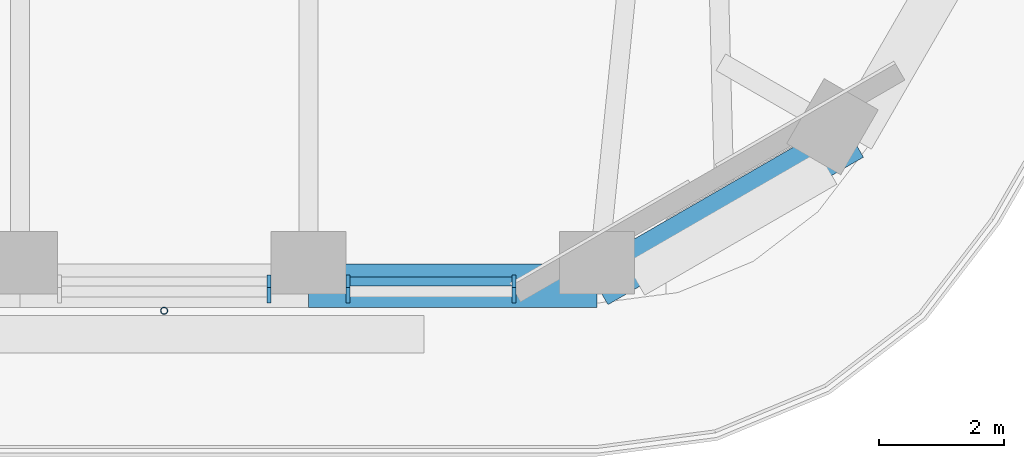
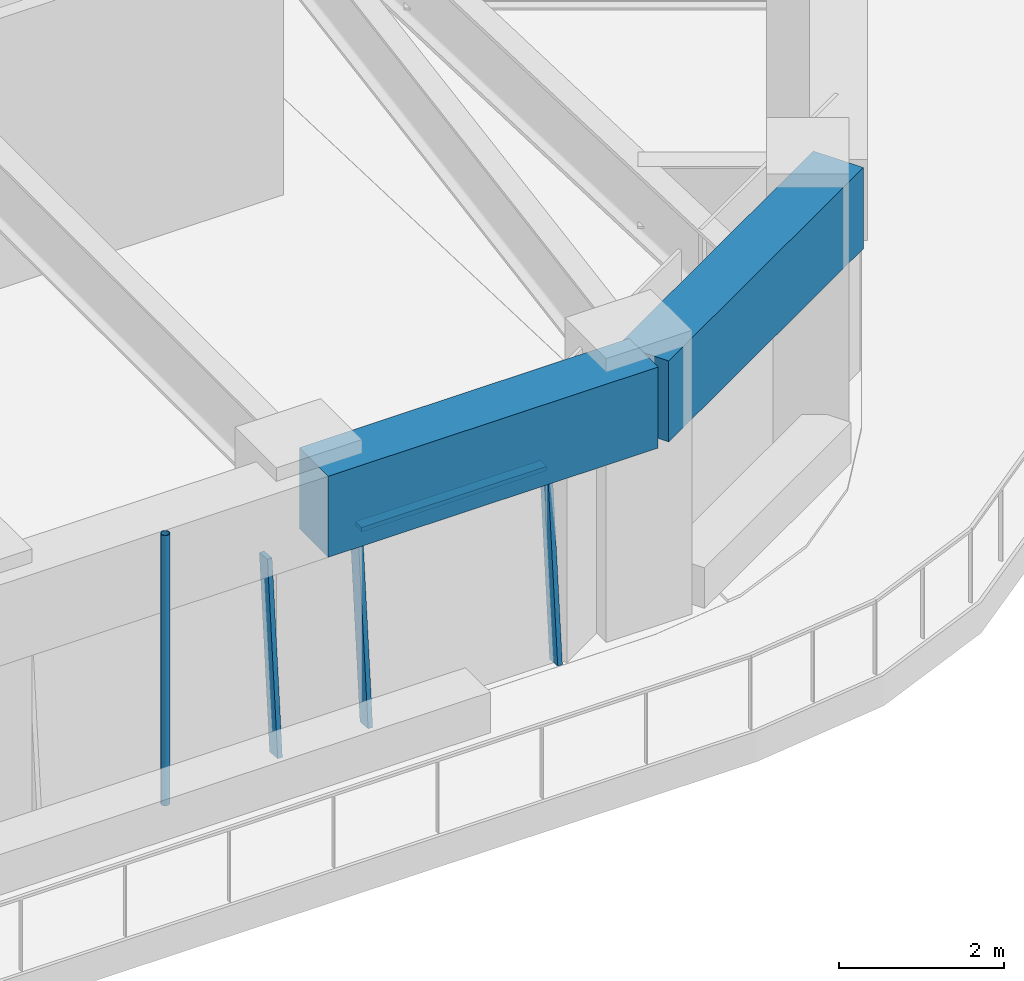
# One storey, part 4 of 20: 5 members, 2 beams, 2 elements without a shape of their own.
"""IFC4 building model written with IfcOpenShell, lengths in metres."""

import ifcopenshell
import ifcopenshell.guid

model = None  # the IFC model being written
_history = None  # IfcOwnerHistory: only IFC2X3 demands one
_inside = {}  # id of a spatial element -> (the spatial element, [elements in it])
_under = {}  # id of a project, library or spatial element -> (it, [spatial elements below it])
_declared = {}  # id of a project -> (the project, [libraries it declares])
_typed = {}  # id of a type object -> (the type object, [elements of that type])
_made_of = {}  # id of a material, layer set ... -> (it, [elements and type objects made of it])


def new_model(schema):
    """Start an empty IFC model of exactly this schema.

    Asked for "IFC4X3", IfcOpenShell would pick the latest addendum, in which some entities
    have other attributes; the version numbers below select the first issue.
    IFC2X3 requires an IfcOwnerHistory on every rooted entity: one is made here for all.
    """
    global model, _history
    if schema == "IFC4X3":
        model = ifcopenshell.file(schema_version=(4, 3, 0, 0))
    else:
        model = ifcopenshell.file(schema=schema)
    _inside.clear()
    _under.clear()
    _declared.clear()
    _typed.clear()
    _made_of.clear()
    _history = None
    if model.schema == "IFC2X3":
        org = make("IfcOrganization", Name="unknown")
        user = make(
            "IfcPersonAndOrganization",
            ThePerson=make("IfcPerson", FamilyName="unknown"),
            TheOrganization=org,
        )
        app = make(
            "IfcApplication",
            ApplicationDeveloper=org,
            Version="unknown",
            ApplicationFullName="unknown",
            ApplicationIdentifier="unknown",
        )
        _history = make(
            "IfcOwnerHistory",
            OwningUser=user,
            OwningApplication=app,
            ChangeAction="ADDED",
            CreationDate=0,
        )
    return model


def make(cls, **values):
    """One entity of the class cls with the attributes given. An attribute that is None is left unset."""
    return model.create_entity(
        cls, **{name: value for name, value in values.items() if value is not None}
    )


def rooted(cls, **values):
    """An entity with a GlobalId (a new one), such as an element, a storey or a relation."""
    return make(cls, GlobalId=ifcopenshell.guid.new(), OwnerHistory=_history, **values)


def si_unit(unit_type, name, prefix=None):
    """IfcSIUnit, for example si_unit("LENGTHUNIT", "METRE", prefix="MILLI")."""
    return make("IfcSIUnit", UnitType=unit_type, Prefix=prefix, Name=name)


def assignment(units):
    """IfcUnitAssignment: the units of a project."""
    return None if units is None else make("IfcUnitAssignment", Units=units)


def point(xyz):
    """IfcCartesianPoint."""
    return None if xyz is None else make("IfcCartesianPoint", Coordinates=xyz)


def direction(xyz):
    """IfcDirection."""
    return None if xyz is None else make("IfcDirection", DirectionRatios=xyz)


def frame(location, z_axis=None, x_axis=None):
    """IfcAxis2Placement3D, a coordinate frame: its origin and axes. An axis left out is left unset."""
    return make(
        "IfcAxis2Placement3D",
        Location=point(location),
        Axis=direction(z_axis),
        RefDirection=direction(x_axis),
    )


def frame_2d(location, x_axis=None):
    """IfcAxis2Placement2D, a coordinate frame in the plane: its origin and x axis."""
    return make(
        "IfcAxis2Placement2D", Location=point(location), RefDirection=direction(x_axis)
    )


def origin():
    """The frame at (0, 0, 0) with its axes left unset."""
    return frame((0.0, 0.0, 0.0))


def origin_2d():
    """The frame at (0, 0) in the plane with its x axis left unset."""
    return frame_2d((0.0, 0.0))


def place(relative_to, where):
    """IfcLocalPlacement: puts the frame where relative to a parent placement (None: the world)."""
    return make(
        "IfcLocalPlacement", PlacementRelTo=relative_to, RelativePlacement=where
    )


def context(
    kind, dimensions, precision=None, world=None, true_north=None, identifier=None
):
    """IfcGeometricRepresentationContext, for example the 3D "Model" context."""
    return make(
        "IfcGeometricRepresentationContext",
        ContextIdentifier=identifier,
        ContextType=kind,
        CoordinateSpaceDimension=dimensions,
        Precision=precision,
        WorldCoordinateSystem=world,
        TrueNorth=true_north,
    )


def subcontext(parent, identifier, kind, view, scale=None):
    """IfcGeometricRepresentationSubContext, for example "Body" below "Model"."""
    return make(
        "IfcGeometricRepresentationSubContext",
        ContextIdentifier=identifier,
        ContextType=kind,
        ParentContext=parent,
        TargetScale=scale,
        TargetView=view,
    )


def project(units=None, contexts=None):
    """IfcProject with its units and contexts."""
    return rooted(
        "IfcProject",
        Name="project",
        RepresentationContexts=contexts,
        UnitsInContext=assignment(units),
    )


def spatial(cls, under=None, at=None, **own):
    """A site, building, storey or space (cls), placed at a placement, below another one or the project."""
    s = rooted(cls, ObjectPlacement=at, **own)
    if under is not None:
        _under.setdefault(under.id(), (under, []))[1].append(s)
    return s


def profile(cls, at=None, kind="AREA", **sizes):
    """A parametric profile (cls). Its sizes go by their IFC names, for example OverallWidth=200.0."""
    return make(cls, ProfileType=kind, Position=at, **sizes)


def rectangle(**sizes):
    """IfcRectangleProfileDef."""
    return profile("IfcRectangleProfileDef", **sizes)


def hollow_circle(**sizes):
    """IfcCircleHollowProfileDef."""
    return profile("IfcCircleHollowProfileDef", **sizes)


def extrude(swept, where, along, depth):
    """IfcExtrudedAreaSolid: the profile swept, set in the frame where, extruded along a direction by depth."""
    return make(
        "IfcExtrudedAreaSolid",
        SweptArea=swept,
        Position=where,
        ExtrudedDirection=direction(along),
        Depth=depth,
    )


def shape(context_of_items, identifier, shape_type, items):
    """IfcShapeRepresentation: the items that make up one representation, for example the "Body"."""
    return make(
        "IfcShapeRepresentation",
        ContextOfItems=context_of_items,
        RepresentationIdentifier=identifier,
        RepresentationType=shape_type,
        Items=items,
    )


def material(Name=None, Category=None):
    """IfcMaterial."""
    return make("IfcMaterial", Name=Name, Category=Category)


def material_profile(
    of_material, cross_section, Name=None, Category=None, Priority=None
):
    """IfcMaterialProfile: a cross section and its material."""
    return make(
        "IfcMaterialProfile",
        Name=Name,
        Material=of_material,
        Profile=cross_section,
        Priority=Priority,
        Category=Category,
    )


def profile_set(profiles, Name=None, composite=None):
    """IfcMaterialProfileSet."""
    return make(
        "IfcMaterialProfileSet",
        Name=Name,
        MaterialProfiles=profiles,
        CompositeProfile=composite,
    )


def made_of(thing, what):
    """Note that an element or type object is made of a material, layer set ...; save() writes the relation."""
    if what is not None:
        _made_of.setdefault(what.id(), (what, []))[1].append(thing)
    return thing


def type_object(cls, material=None, **own):
    """A type object (cls), such as IfcWallType, which elements share."""
    return made_of(rooted(cls, **own), material)


def element(
    cls,
    number,
    at=None,
    inside=None,
    cuts=None,
    type_object=None,
    material=None,
    context=None,
    identifier="Body",
    shape_type=None,
    held_by="IfcProductDefinitionShape",
    body=None,
    shapes=None,
    **own,
):
    """One element of the class cls, such as IfcWall. Its Tag is "e" and its number.

    at: its placement. inside: the storey or other place that contains it. cuts: it is an
    opening in that element (IfcRelVoidsElement). A single representation is given by context,
    identifier, shape_type and body (its items); several are given by shapes. held_by: the class
    of the entity that holds the representations. save() writes the other relations.
    """
    e = rooted(cls, Tag="e%d" % number, ObjectPlacement=at, **own)
    if body is not None:
        shapes = [shape(context, identifier, shape_type, body)]
    if shapes is not None:
        e.Representation = make(held_by, Representations=shapes)
    if inside is not None:
        _inside.setdefault(inside.id(), (inside, []))[1].append(e)
    if cuts is not None:
        rooted(
            "IfcRelVoidsElement", RelatingBuildingElement=cuts, RelatedOpeningElement=e
        )
    if type_object is not None:
        _typed.setdefault(type_object.id(), (type_object, []))[1].append(e)
    return made_of(e, material)


def aggregate(whole, parts):
    """IfcRelAggregates: a whole, such as a stair, and the parts it consists of."""
    return rooted("IfcRelAggregates", RelatingObject=whole, RelatedObjects=parts)


def save(model, path):
    """Write the relations noted so far, then the file.

    IfcRelAggregates (storeys below a building ...), IfcRelContainedInSpatialStructure (elements
    in a storey), IfcRelDefinesByType, IfcRelAssociatesMaterial and IfcRelDeclares: one each for
    every whole, place, type object, material and project.
    """
    for whole, parts in _under.values():
        aggregate(whole, parts)
    for where, things in _inside.values():
        rooted(
            "IfcRelContainedInSpatialStructure",
            RelatedElements=things,
            RelatingStructure=where,
        )
    for kind, things in _typed.values():
        rooted("IfcRelDefinesByType", RelatedObjects=things, RelatingType=kind)
    for what, things in _made_of.values():
        rooted("IfcRelAssociatesMaterial", RelatedObjects=things, RelatingMaterial=what)
    for by, libraries in _declared.values():
        rooted("IfcRelDeclares", RelatingContext=by, RelatedDefinitions=libraries)
    model.write(path)


model = new_model("IFC4")

# Units and contexts
model_context = context("Model", 3, precision=1e-05, world=origin(), true_north=direction((0.0, 1.0)))
body_context = subcontext(model_context, "Body", "Model", "MODEL_VIEW")
ifc_project = project(units=[si_unit("LENGTHUNIT", "METRE"), si_unit("AREAUNIT", "SQUARE_METRE"), si_unit("VOLUMEUNIT", "CUBIC_METRE"), si_unit("PLANEANGLEUNIT", "RADIAN"), si_unit("MASSUNIT", "GRAM", prefix="KILO")], contexts=[model_context])

# Site, building, storey
site_placement = place(None, origin())
site = spatial("IfcSite", under=ifc_project, at=site_placement, CompositionType="ELEMENT")
building_placement = place(site_placement, origin())
building = spatial("IfcBuilding", under=site, at=building_placement, Name="Tarfa Lantern Tower", CompositionType="ELEMENT")
storey_placement = place(building_placement, frame((0.0, 0.0, 265.89990234375)))
storey = spatial("IfcBuildingStorey", under=building, at=storey_placement, Name="L60", CompositionType="ELEMENT", Elevation=265.89990234375)

# Curtain wall, member
ifc_material_1 = material(Name="Aluminium framed curtain wall", Category="aluminium")
curtain_wall_type = type_object("IfcCurtainWallType", Name="CW3 CANTED GLAZING HIGH ZONE 2800", PredefinedType="USERDEFINED", material=ifc_material_1)
curtain_wall_1_placement = place(storey_placement, origin())
curtain_wall_1 = element("IfcCurtainWall", 1, at=curtain_wall_1_placement, inside=storey, type_object=curtain_wall_type, Name="CW3 S L60", ObjectType="CURTAIN WALL", PredefinedType="USERDEFINED")
ifc_material_2 = material(Name="Aluminium mullion", Category="aluminium")
ifc_material_profile_1 = material_profile(ifc_material_2, rectangle(XDim=0.06494140625, YDim=0.199951171875, at=origin_2d()), Name="AL MULLION 65x200")
ifc_profile_set_1 = profile_set([ifc_material_profile_1], Name="Aluminium mullion")
member_type_1 = type_object("IfcMemberType", Name="CWM1 MULLION 65x200", PredefinedType="MULLION", material=ifc_profile_set_1)
member_1_placement = place(storey_placement, frame((8.605224609375, -28.89990234375, 0.0), z_axis=(0.0, 0.088930399417, 0.996037842685), x_axis=(-1.0, 0.0, 0.0)))
member_1 = element("IfcMember", 2, at=member_1_placement, type_object=member_type_1, Name="CW3 mullion 2", PredefinedType="MULLION", context=body_context, shape_type="SweptSolid", body=[
    extrude(rectangle(XDim=0.06494140625, YDim=0.199951171875, at=origin_2d()), origin(), (0.0, 0.0, 1.0), 2.811279296875),
])
aggregate(curtain_wall_1, [member_1])

# Curtain wall, members
curtain_wall_2_placement = place(storey_placement, origin())
curtain_wall_2 = element("IfcCurtainWall", 3, at=curtain_wall_2_placement, inside=storey, type_object=curtain_wall_type, Name="CW3 S L60", ObjectType="CURTAIN WALL", PredefinedType="USERDEFINED")
member_2_placement = place(storey_placement, frame((9.8701171875, -28.89990234375, 0.0), z_axis=(0.0, 0.088930399417, 0.996037842685), x_axis=(-1.0, 0.0, 0.0)))
member_2 = element("IfcMember", 4, at=member_2_placement, type_object=member_type_1, Name="CW3 mullion 1", PredefinedType="MULLION", context=body_context, shape_type="SweptSolid", body=[
    extrude(rectangle(XDim=0.06494140625, YDim=0.199951171875, at=origin_2d()), origin(), (0.0, 0.0, 1.0), 2.811279296875),
])
member_3_placement = place(storey_placement, frame((12.52392578125, -28.89990234375, 0.0), z_axis=(0.0, 0.088930399417, 0.996037842685), x_axis=(-1.0, 0.0, 0.0)))
member_3 = element("IfcMember", 5, at=member_3_placement, type_object=member_type_1, Name="CW3 mullion 2", PredefinedType="MULLION", context=body_context, shape_type="SweptSolid", body=[
    extrude(rectangle(XDim=0.06494140625, YDim=0.199951171875, at=origin_2d()), origin(), (0.0, 0.0, 1.0), 2.811279296875),
])
ifc_material_3 = material(Name="Aluminium transom", Category="aluminium")
ifc_material_profile_2 = material_profile(ifc_material_3, rectangle(XDim=0.14990234375, YDim=0.06494140625, at=origin_2d()), Name="AL TRANSOM 150x65")
ifc_profile_set_2 = profile_set([ifc_material_profile_2], Name="Aluminium transom")
member_type_2 = type_object("IfcMemberType", Name="CWT1 TRANSOM 150x65", PredefinedType="USERDEFINED", material=ifc_profile_set_2)
member_4_placement = place(storey_placement, frame((9.902587890625, -28.65283203125, 2.767578125), z_axis=(1.0, 0.0, 0.0), x_axis=(0.0, 1.0, 0.0)))
member_4 = element("IfcMember", 6, at=member_4_placement, type_object=member_type_2, Name="CW3 transom 1.2", ObjectType="TRANSOM", PredefinedType="USERDEFINED", context=body_context, shape_type="SweptSolid", body=[
    extrude(rectangle(XDim=0.14990234375, YDim=0.06494140625, at=origin_2d()), origin(), (0.0, 0.0, 1.0), 2.5888671875),
])
aggregate(curtain_wall_2, [member_2, member_3, member_4])

# Beams
ifc_material_4 = material(Name="Concrete C80/95", Category="concrete")
ifc_material_profile_3 = material_profile(ifc_material_4, rectangle(XDim=0.699951171875, YDim=1.199951171875, at=origin_2d()), Name="RC 700x1200")
ifc_profile_set_3 = profile_set([ifc_material_profile_3], Name="Concrete C80/95")
beam_type = type_object("IfcBeamType", Name="EB3 RC 700x1200", PredefinedType="SPANDREL", material=ifc_profile_set_3)
beam_1_placement = place(storey_placement, frame((9.237548828125, -28.719970703125, 3.400146484375), z_axis=(1.0, 0.0, 0.0), x_axis=(0.0, 1.0, 0.0)))
element("IfcBeam", 7, at=beam_1_placement, inside=storey, type_object=beam_type, Name="Edge beam S5", PredefinedType="SPANDREL", context=body_context, shape_type="SweptSolid", body=[
    extrude(rectangle(XDim=0.699951171875, YDim=1.199951171875, at=origin_2d()), origin(), (0.0, 0.0, 1.0), 4.618896484375),
])
beam_2_placement = place(storey_placement, frame((13.8564453125, -28.719970703125, 3.400146484375), z_axis=(0.866038294681, 0.499977671647, 0.0), x_axis=(-0.499977671647, 0.866038294681, 0.0)))
element("IfcBeam", 8, at=beam_2_placement, inside=storey, type_object=beam_type, Name="Edge beam S6", PredefinedType="SPANDREL", context=body_context, shape_type="SweptSolid", body=[
    extrude(rectangle(XDim=0.699951171875, YDim=1.199951171875, at=origin_2d()), origin(), (0.0, 0.0, 1.0), 4.719970703125),
])

# Member
ifc_material_5 = material(Name="Steel S355", Category="steel")
ifc_material_profile_4 = material_profile(ifc_material_5, hollow_circle(Radius=0.05712890625, WallThickness=0.00634765625, at=origin_2d()), Name="CHS114.3x6.3")
ifc_profile_set_4 = profile_set([ifc_material_profile_4], Name="Steel S355")
member_type_3 = type_object("IfcMemberType", Name="TR1 GREEN WALL TRELLIS CHS114.3x6.3", PredefinedType="USERDEFINED", material=ifc_profile_set_4)
member_5_placement = place(storey_placement, frame((6.92822265625, -29.1201171875, 0.0), z_axis=(0.0, 0.0, 1.0), x_axis=(1.0, 0.0, 0.0)))
element("IfcMember", 9, at=member_5_placement, inside=storey, type_object=member_type_3, Name="Trellis post S 2", ObjectType="TRELLIS", PredefinedType="USERDEFINED", context=body_context, shape_type="SweptSolid", body=[
    extrude(hollow_circle(Radius=0.05712890625, WallThickness=0.00634765625, at=origin_2d()), origin(), (0.0, 0.0, 1.0), 4.0),
])

save(model, "model.ifc")
